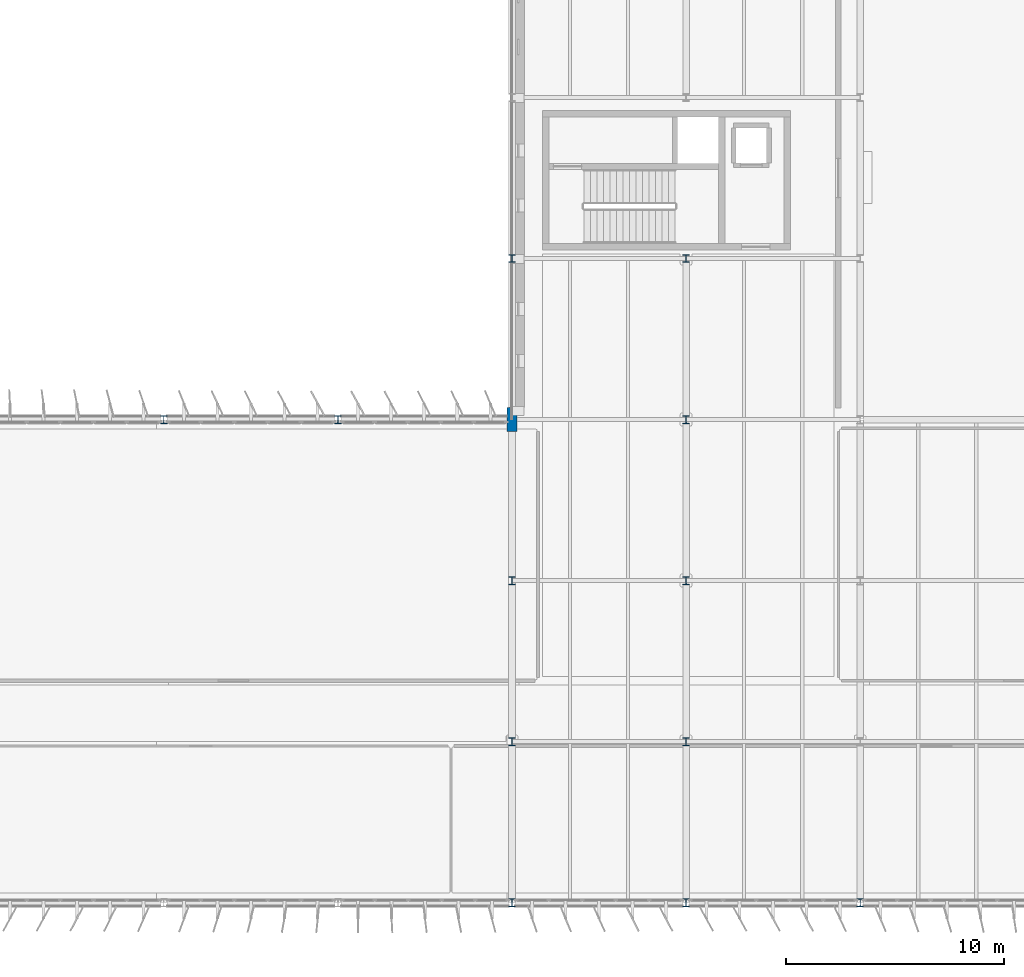
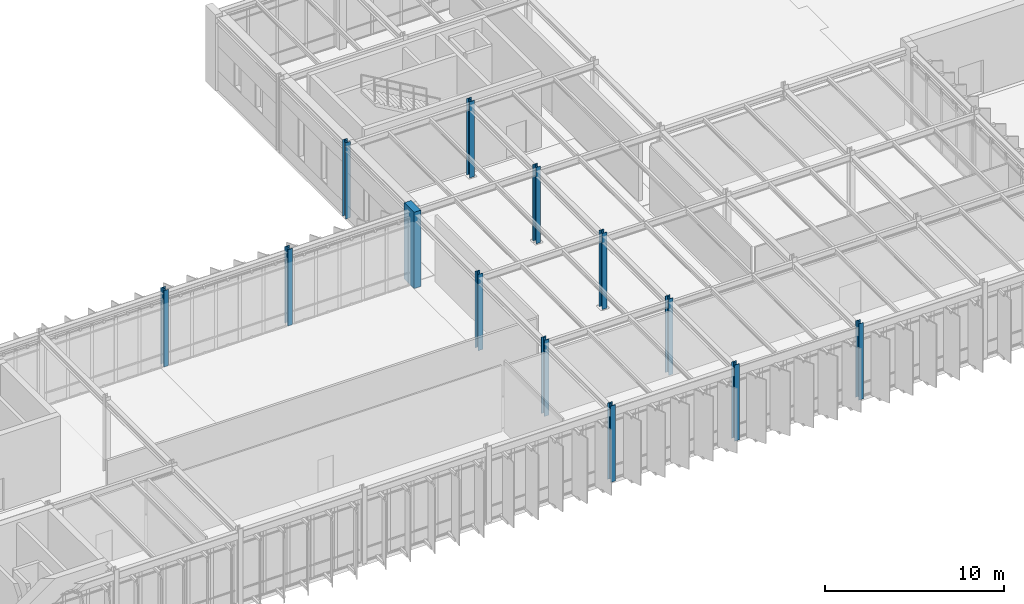
# One storey, part 3 of 48: 13 columns.
"""IFC4 building model written with IfcOpenShell, lengths in metres."""

import ifcopenshell
import ifcopenshell.guid

model = None  # the IFC model being written
_history = None  # IfcOwnerHistory: only IFC2X3 demands one
_inside = {}  # id of a spatial element -> (the spatial element, [elements in it])
_under = {}  # id of a project, library or spatial element -> (it, [spatial elements below it])
_declared = {}  # id of a project -> (the project, [libraries it declares])
_typed = {}  # id of a type object -> (the type object, [elements of that type])
_made_of = {}  # id of a material, layer set ... -> (it, [elements and type objects made of it])


def new_model(schema):
    """Start an empty IFC model of exactly this schema.

    Asked for "IFC4X3", IfcOpenShell would pick the latest addendum, in which some entities
    have other attributes; the version numbers below select the first issue.
    IFC2X3 requires an IfcOwnerHistory on every rooted entity: one is made here for all.
    """
    global model, _history
    if schema == "IFC4X3":
        model = ifcopenshell.file(schema_version=(4, 3, 0, 0))
    else:
        model = ifcopenshell.file(schema=schema)
    _inside.clear()
    _under.clear()
    _declared.clear()
    _typed.clear()
    _made_of.clear()
    _history = None
    if model.schema == "IFC2X3":
        org = make("IfcOrganization", Name="unknown")
        user = make(
            "IfcPersonAndOrganization",
            ThePerson=make("IfcPerson", FamilyName="unknown"),
            TheOrganization=org,
        )
        app = make(
            "IfcApplication",
            ApplicationDeveloper=org,
            Version="unknown",
            ApplicationFullName="unknown",
            ApplicationIdentifier="unknown",
        )
        _history = make(
            "IfcOwnerHistory",
            OwningUser=user,
            OwningApplication=app,
            ChangeAction="ADDED",
            CreationDate=0,
        )
    return model


def make(cls, **values):
    """One entity of the class cls with the attributes given. An attribute that is None is left unset."""
    return model.create_entity(
        cls, **{name: value for name, value in values.items() if value is not None}
    )


def rooted(cls, **values):
    """An entity with a GlobalId (a new one), such as an element, a storey or a relation."""
    return make(cls, GlobalId=ifcopenshell.guid.new(), OwnerHistory=_history, **values)


def si_unit(unit_type, name, prefix=None):
    """IfcSIUnit, for example si_unit("LENGTHUNIT", "METRE", prefix="MILLI")."""
    return make("IfcSIUnit", UnitType=unit_type, Prefix=prefix, Name=name)


def assignment(units):
    """IfcUnitAssignment: the units of a project."""
    return None if units is None else make("IfcUnitAssignment", Units=units)


def point(xyz):
    """IfcCartesianPoint."""
    return None if xyz is None else make("IfcCartesianPoint", Coordinates=xyz)


def direction(xyz):
    """IfcDirection."""
    return None if xyz is None else make("IfcDirection", DirectionRatios=xyz)


def frame(location, z_axis=None, x_axis=None):
    """IfcAxis2Placement3D, a coordinate frame: its origin and axes. An axis left out is left unset."""
    return make(
        "IfcAxis2Placement3D",
        Location=point(location),
        Axis=direction(z_axis),
        RefDirection=direction(x_axis),
    )


def frame_2d(location, x_axis=None):
    """IfcAxis2Placement2D, a coordinate frame in the plane: its origin and x axis."""
    return make(
        "IfcAxis2Placement2D", Location=point(location), RefDirection=direction(x_axis)
    )


def origin():
    """The frame at (0, 0, 0) with its axes left unset."""
    return frame((0.0, 0.0, 0.0))


def origin_2d():
    """The frame at (0, 0) in the plane with its x axis left unset."""
    return frame_2d((0.0, 0.0))


def place(relative_to, where):
    """IfcLocalPlacement: puts the frame where relative to a parent placement (None: the world)."""
    return make(
        "IfcLocalPlacement", PlacementRelTo=relative_to, RelativePlacement=where
    )


def context(
    kind, dimensions, precision=None, world=None, true_north=None, identifier=None
):
    """IfcGeometricRepresentationContext, for example the 3D "Model" context."""
    return make(
        "IfcGeometricRepresentationContext",
        ContextIdentifier=identifier,
        ContextType=kind,
        CoordinateSpaceDimension=dimensions,
        Precision=precision,
        WorldCoordinateSystem=world,
        TrueNorth=true_north,
    )


def subcontext(parent, identifier, kind, view, scale=None):
    """IfcGeometricRepresentationSubContext, for example "Body" below "Model"."""
    return make(
        "IfcGeometricRepresentationSubContext",
        ContextIdentifier=identifier,
        ContextType=kind,
        ParentContext=parent,
        TargetScale=scale,
        TargetView=view,
    )


def project(units=None, contexts=None):
    """IfcProject with its units and contexts."""
    return rooted(
        "IfcProject",
        Name="project",
        RepresentationContexts=contexts,
        UnitsInContext=assignment(units),
    )


def spatial(cls, under=None, at=None, **own):
    """A site, building, storey or space (cls), placed at a placement, below another one or the project."""
    s = rooted(cls, ObjectPlacement=at, **own)
    if under is not None:
        _under.setdefault(under.id(), (under, []))[1].append(s)
    return s


def profile(cls, at=None, kind="AREA", **sizes):
    """A parametric profile (cls). Its sizes go by their IFC names, for example OverallWidth=200.0."""
    return make(cls, ProfileType=kind, Position=at, **sizes)


def rectangle(**sizes):
    """IfcRectangleProfileDef."""
    return profile("IfcRectangleProfileDef", **sizes)


def i_section(**sizes):
    """IfcIShapeProfileDef."""
    return profile("IfcIShapeProfileDef", **sizes)


def extrude(swept, where, along, depth):
    """IfcExtrudedAreaSolid: the profile swept, set in the frame where, extruded along a direction by depth."""
    return make(
        "IfcExtrudedAreaSolid",
        SweptArea=swept,
        Position=where,
        ExtrudedDirection=direction(along),
        Depth=depth,
    )


def shape(context_of_items, identifier, shape_type, items):
    """IfcShapeRepresentation: the items that make up one representation, for example the "Body"."""
    return make(
        "IfcShapeRepresentation",
        ContextOfItems=context_of_items,
        RepresentationIdentifier=identifier,
        RepresentationType=shape_type,
        Items=items,
    )


def material(Name=None, Category=None):
    """IfcMaterial."""
    return make("IfcMaterial", Name=Name, Category=Category)


def material_profile(
    of_material, cross_section, Name=None, Category=None, Priority=None
):
    """IfcMaterialProfile: a cross section and its material."""
    return make(
        "IfcMaterialProfile",
        Name=Name,
        Material=of_material,
        Profile=cross_section,
        Priority=Priority,
        Category=Category,
    )


def profile_set(profiles, Name=None, composite=None):
    """IfcMaterialProfileSet."""
    return make(
        "IfcMaterialProfileSet",
        Name=Name,
        MaterialProfiles=profiles,
        CompositeProfile=composite,
    )


def made_of(thing, what):
    """Note that an element or type object is made of a material, layer set ...; save() writes the relation."""
    if what is not None:
        _made_of.setdefault(what.id(), (what, []))[1].append(thing)
    return thing


def type_object(cls, material=None, **own):
    """A type object (cls), such as IfcWallType, which elements share."""
    return made_of(rooted(cls, **own), material)


def element(
    cls,
    number,
    at=None,
    inside=None,
    cuts=None,
    type_object=None,
    material=None,
    context=None,
    identifier="Body",
    shape_type=None,
    held_by="IfcProductDefinitionShape",
    body=None,
    shapes=None,
    **own,
):
    """One element of the class cls, such as IfcWall. Its Tag is "e" and its number.

    at: its placement. inside: the storey or other place that contains it. cuts: it is an
    opening in that element (IfcRelVoidsElement). A single representation is given by context,
    identifier, shape_type and body (its items); several are given by shapes. held_by: the class
    of the entity that holds the representations. save() writes the other relations.
    """
    e = rooted(cls, Tag="e%d" % number, ObjectPlacement=at, **own)
    if body is not None:
        shapes = [shape(context, identifier, shape_type, body)]
    if shapes is not None:
        e.Representation = make(held_by, Representations=shapes)
    if inside is not None:
        _inside.setdefault(inside.id(), (inside, []))[1].append(e)
    if cuts is not None:
        rooted(
            "IfcRelVoidsElement", RelatingBuildingElement=cuts, RelatedOpeningElement=e
        )
    if type_object is not None:
        _typed.setdefault(type_object.id(), (type_object, []))[1].append(e)
    return made_of(e, material)


def aggregate(whole, parts):
    """IfcRelAggregates: a whole, such as a stair, and the parts it consists of."""
    return rooted("IfcRelAggregates", RelatingObject=whole, RelatedObjects=parts)


def save(model, path):
    """Write the relations noted so far, then the file.

    IfcRelAggregates (storeys below a building ...), IfcRelContainedInSpatialStructure (elements
    in a storey), IfcRelDefinesByType, IfcRelAssociatesMaterial and IfcRelDeclares: one each for
    every whole, place, type object, material and project.
    """
    for whole, parts in _under.values():
        aggregate(whole, parts)
    for where, things in _inside.values():
        rooted(
            "IfcRelContainedInSpatialStructure",
            RelatedElements=things,
            RelatingStructure=where,
        )
    for kind, things in _typed.values():
        rooted("IfcRelDefinesByType", RelatedObjects=things, RelatingType=kind)
    for what, things in _made_of.values():
        rooted("IfcRelAssociatesMaterial", RelatedObjects=things, RelatingMaterial=what)
    for by, libraries in _declared.values():
        rooted("IfcRelDeclares", RelatingContext=by, RelatedDefinitions=libraries)
    model.write(path)


model = new_model("IFC4")

# Units and contexts
model_context = context("Model", 3, precision=1e-05, world=origin(), true_north=direction((0.0, 1.0)))
body_context = subcontext(model_context, "Body", "Model", "MODEL_VIEW")
ifc_project = project(units=[si_unit("LENGTHUNIT", "METRE"), si_unit("AREAUNIT", "SQUARE_METRE"), si_unit("VOLUMEUNIT", "CUBIC_METRE"), si_unit("PLANEANGLEUNIT", "RADIAN"), si_unit("MASSUNIT", "GRAM", prefix="KILO")], contexts=[model_context])

# Site, building, storey
site_placement = place(None, origin())
site = spatial("IfcSite", under=ifc_project, at=site_placement, CompositionType="ELEMENT")
building_placement = place(site_placement, origin())
building = spatial("IfcBuilding", under=site, at=building_placement, Name="Valkorina Park Police Headquarters", CompositionType="ELEMENT")
storey_placement = place(building_placement, frame((0.0, 0.0, 18.10009765625)))
storey = spatial("IfcBuildingStorey", under=building, at=storey_placement, Name="L05", CompositionType="ELEMENT", Elevation=18.10009765625)

# Columns
ifc_material_1 = material(Name="Concrete C40/50", Category="concrete")
ifc_material_profile_1 = material_profile(ifc_material_1, rectangle(XDim=0.449951171875, YDim=1.10009765625, at=origin_2d()), Name="RC PIER 450x1100")
ifc_profile_set_1 = profile_set([ifc_material_profile_1], Name="Concrete C40/50")
column_type_1 = type_object("IfcColumnType", Name="COL-RC-PIER-EXT", PredefinedType="PILASTER", material=ifc_profile_set_1)
column_placement = place(storey_placement, frame((80.800048828125, 59.199951171875, 0.0), z_axis=(0.0, 0.0, 1.0), x_axis=(1.0, 0.0, 0.0)))
element("IfcColumn", 1, at=column_placement, inside=storey, type_object=column_type_1, Name="L05 Column 0993", PredefinedType="PILASTER", context=body_context, shape_type="SweptSolid", body=[
    extrude(rectangle(XDim=0.449951171875, YDim=1.10009765625, at=origin_2d()), origin(), (0.0, 0.0, 1.0), 5.199951171875),
])
ifc_material_2 = material(Name="Steel S355", Category="steel")
ifc_material_profile_2 = material_profile(ifc_material_2, i_section(OverallWidth=0.300048828125, OverallDepth=0.360107421875, WebThickness=0.012451171875, FlangeThickness=0.0224609375, FilletRadius=0.027099609375, at=origin_2d()), Name="HEB 360")
ifc_profile_set_2 = profile_set([ifc_material_profile_2], Name="Steel S355")
column_type_2 = type_object("IfcColumnType", Name="COL-S355-HEB360-EXT", PredefinedType="COLUMN", material=ifc_profile_set_2)
for number, where, z_axis, x_axis, name in (
    (2, (64.800048828125, 59.199951171875, 0.0), (0.0, 0.0, 1.0), (1.0, 0.0, 0.0), "L05 Column 0987"),
    (3, (72.800048828125, 59.199951171875, 0.0), (0.0, 0.0, 1.0), (1.0, 0.0, 0.0), "L05 Column 0989"),
    (4, (80.800048828125, 37.0, 0.0), (0.0, 0.0, 1.0), (1.0, 0.0, 0.0), "L05 Column 0990"),
    (5, (80.800048828125, 66.60009765625, 0.0), (0.0, 0.0, 1.0), (1.0, 0.0, 0.0), "L05 Column 0994"),
    (6, (88.800048828125, 37.0, 0.0), (0.0, 0.0, 1.0), (1.0, 0.0, 0.0), "L05 Column 0997"),
    (7, (96.800048828125, 37.0, 0.0), (0.0, 0.0, 1.0), (1.0, 0.0, 0.0), "L05 Column 1004"),
):
    element("IfcColumn", number, at=place(storey_placement, frame(where, z_axis=z_axis, x_axis=x_axis)), inside=storey, type_object=column_type_2, Name=name, PredefinedType="COLUMN", context=body_context, shape_type="SweptSolid", body=[
        extrude(i_section(OverallWidth=0.300048828125, OverallDepth=0.360107421875, WebThickness=0.012451171875, FlangeThickness=0.0224609375, FilletRadius=0.027099609375, at=origin_2d()), origin(), (0.0, 0.0, 1.0), 5.199951171875),
    ])
ifc_material_profile_3 = material_profile(ifc_material_2, i_section(OverallWidth=0.300048828125, OverallDepth=0.360107421875, WebThickness=0.012451171875, FlangeThickness=0.0224609375, FilletRadius=0.027099609375, at=origin_2d()), Name="HEB 360")
ifc_profile_set_3 = profile_set([ifc_material_profile_3], Name="Steel S355")
column_type_3 = type_object("IfcColumnType", Name="COL-S355-HEB360-INT", PredefinedType="COLUMN", material=ifc_profile_set_3)
for number, where, z_axis, x_axis, name in (
    (8, (80.800048828125, 44.39990234375, 0.0), (0.0, 0.0, 1.0), (1.0, 0.0, 0.0), "L05 Column 0991"),
    (9, (80.800048828125, 51.800048828125, 0.0), (0.0, 0.0, 1.0), (1.0, 0.0, 0.0), "L05 Column 0992"),
    (10, (88.800048828125, 44.39990234375, 0.0), (0.0, 0.0, 1.0), (1.0, 0.0, 0.0), "L05 Column 0998"),
    (11, (88.800048828125, 51.800048828125, 0.0), (0.0, 0.0, 1.0), (1.0, 0.0, 0.0), "L05 Column 0999"),
    (12, (88.800048828125, 59.199951171875, 0.0), (0.0, 0.0, 1.0), (1.0, 0.0, 0.0), "L05 Column 1000"),
    (13, (88.800048828125, 66.60009765625, 0.0), (0.0, 0.0, 1.0), (1.0, 0.0, 0.0), "L05 Column 1001"),
):
    element("IfcColumn", number, at=place(storey_placement, frame(where, z_axis=z_axis, x_axis=x_axis)), inside=storey, type_object=column_type_3, Name=name, PredefinedType="COLUMN", context=body_context, shape_type="SweptSolid", body=[
        extrude(i_section(OverallWidth=0.300048828125, OverallDepth=0.360107421875, WebThickness=0.012451171875, FlangeThickness=0.0224609375, FilletRadius=0.027099609375, at=origin_2d()), origin(), (0.0, 0.0, 1.0), 5.199951171875),
    ])

save(model, "model.ifc")
